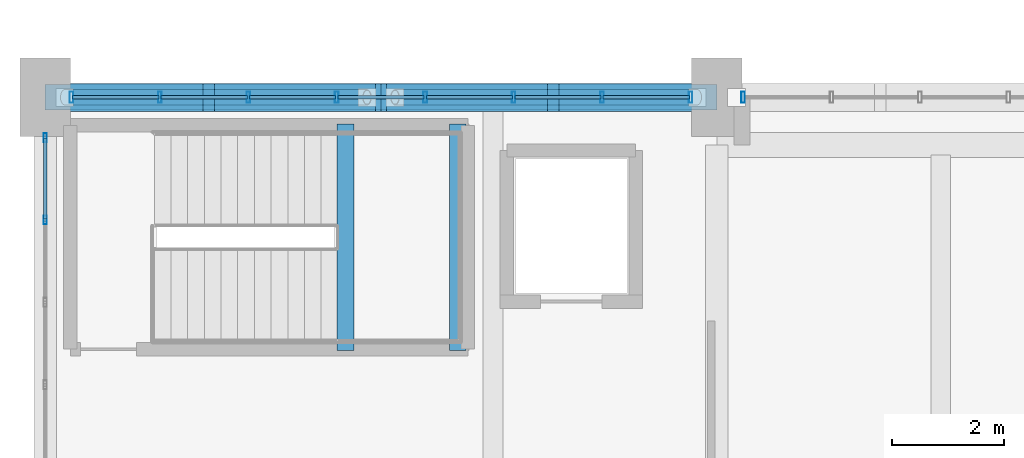
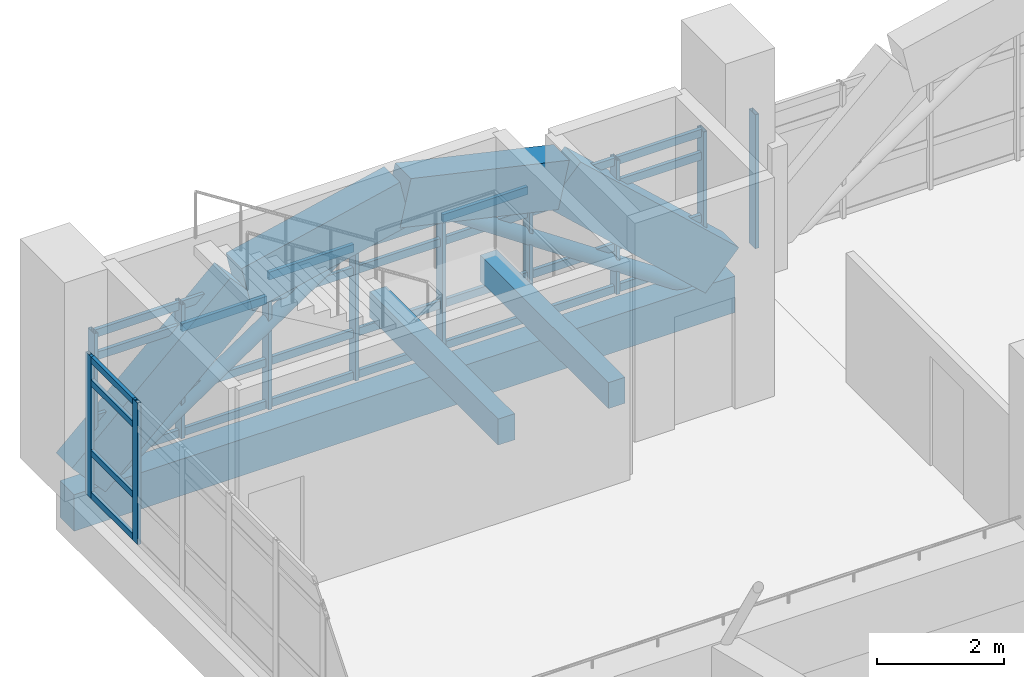
# One storey, part 29 of 161: 45 members, 7 beams, 3 elements without a shape of their own.
"""IFC4 building model written with IfcOpenShell, lengths in metres."""

from ifc_helpers import new_model, si_unit, direction, frame, origin, origin_2d, place, context, subcontext, project, spatial, rectangle, hollow_rectangle, hollow_circle, extrude, material, layer, layer_set, material_profile, profile_set, type_object, element, aggregate, save


model = new_model("IFC4")

# Units and contexts
model_context = context("Model", 3, precision=1e-05, world=origin(), true_north=direction((0.0, 1.0)))
body_context = subcontext(model_context, "Body", "Model", "MODEL_VIEW")
ifc_project = project(units=[si_unit("LENGTHUNIT", "METRE"), si_unit("AREAUNIT", "SQUARE_METRE"), si_unit("VOLUMEUNIT", "CUBIC_METRE"), si_unit("PLANEANGLEUNIT", "RADIAN"), si_unit("MASSUNIT", "GRAM", prefix="KILO")], contexts=[model_context])

# Site, building, storey
site_placement = place(None, origin())
site = spatial("IfcSite", under=ifc_project, at=site_placement, CompositionType="ELEMENT")
building_placement = place(site_placement, origin())
building = spatial("IfcBuilding", under=site, at=building_placement, Name="Mersad Railyard Sports Hall", CompositionType="ELEMENT")
storey_placement = place(building_placement, frame((0.0, 0.0, 4.800048828125)))
storey = spatial("IfcBuildingStorey", under=building, at=storey_placement, Name="L01", CompositionType="ELEMENT", Elevation=4.800048828125)

# Curtain wall, members
ifc_material_1 = material(Name="Aluminium 6063-T6", Category="aluminium")
ifc_layer_1 = layer(ifc_material_1, 0.159912109375)
ifc_layer_set_1 = layer_set([ifc_layer_1], Name="Aluminium 6063-T6")
curtain_wall_type_1 = type_object("IfcCurtainWallType", Name="ARC-CW-CW03", PredefinedType="USERDEFINED", material=ifc_layer_set_1)
curtain_wall_1_placement = place(storey_placement, origin())
curtain_wall_1 = element("IfcCurtainWall", 1, at=curtain_wall_1_placement, inside=storey, type_object=curtain_wall_type_1, Name="Curtain wall CW03-0025", ObjectType="CURTAIN WALL", PredefinedType="USERDEFINED")
ifc_material_profile_1 = material_profile(ifc_material_1, hollow_rectangle(XDim=0.06005859375, YDim=0.159912109375, WallThickness=0.00390625, at=origin_2d()), Name="AL MULLION 60x160x4")
ifc_profile_set_1 = profile_set([ifc_material_profile_1], Name="Aluminium 6063-T6")
member_type_1 = type_object("IfcMemberType", Name="ARC-CW-MUL01", PredefinedType="MULLION", material=ifc_profile_set_1)
member_1_placement = place(storey_placement, frame((7.0, 51.3076171875, -0.02001953125), z_axis=(0.0, 0.0, 1.0), x_axis=(1.0, 0.0, 0.0)))
member_1 = element("IfcMember", 2, at=member_1_placement, type_object=member_type_1, Name="CW03 Mullion 6", PredefinedType="MULLION", context=body_context, shape_type="SweptSolid", body=[
    extrude(hollow_rectangle(XDim=0.06005859375, YDim=0.159912109375, WallThickness=0.00390625, at=origin_2d()), origin(), (0.0, 0.0, 1.0), 2.719970703125),
])
member_2_placement = place(storey_placement, frame((7.0, 52.780029296875, -0.02001953125), z_axis=(0.0, 0.0, 1.0), x_axis=(1.0, 0.0, 0.0)))
member_2 = element("IfcMember", 3, at=member_2_placement, type_object=member_type_1, Name="CW03 Mullion 7", PredefinedType="MULLION", context=body_context, shape_type="SweptSolid", body=[
    extrude(hollow_rectangle(XDim=0.06005859375, YDim=0.159912109375, WallThickness=0.00390625, at=origin_2d()), origin(), (0.0, 0.0, 1.0), 2.719970703125),
])

ifc_layer_2 = layer(ifc_material_1, 0.199951171875)
ifc_layer_set_2 = layer_set([ifc_layer_2], Name="Aluminium 6063-T6")
curtain_wall_type_2 = type_object("IfcCurtainWallType", Name="ARC-CW-CW02", PredefinedType="USERDEFINED", material=ifc_layer_set_2)
curtain_wall_2_placement = place(storey_placement, origin())
curtain_wall_2 = element("IfcCurtainWall", 4, at=curtain_wall_2_placement, inside=storey, type_object=curtain_wall_type_2, Name="Curtain wall CW02-0004", ObjectType="CURTAIN WALL", PredefinedType="USERDEFINED")
ifc_material_profile_2 = material_profile(ifc_material_1, hollow_rectangle(XDim=0.06494140625, YDim=0.199951171875, WallThickness=0.0048828125, at=origin_2d()), Name="AL MULLION 65x200x5")
ifc_profile_set_2 = profile_set([ifc_material_profile_2], Name="Aluminium 6063-T6")
member_type_2 = type_object("IfcMemberType", Name="ARC-CW-MUL02", PredefinedType="MULLION", material=ifc_profile_set_2)
member_3_placement = place(storey_placement, frame((7.469970703125, 53.5, -0.02001953125), z_axis=(0.0, 0.0, 1.0), x_axis=(1.0, 0.0, 0.0)))
member_3 = element("IfcMember", 5, at=member_3_placement, type_object=member_type_2, Name="CW02 Mullion 1", PredefinedType="MULLION", context=body_context, shape_type="SweptSolid", body=[
    extrude(hollow_rectangle(XDim=0.06494140625, YDim=0.199951171875, WallThickness=0.0048828125, at=origin_2d()), origin(), (0.0, 0.0, 1.0), 2.570068359375),
])
member_4_placement = place(storey_placement, frame((9.050048828125, 53.5, -0.02001953125), z_axis=(0.0, 0.0, 1.0), x_axis=(1.0, 0.0, 0.0)))
member_4 = element("IfcMember", 6, at=member_4_placement, type_object=member_type_2, Name="CW02 Mullion 2", PredefinedType="MULLION", context=body_context, shape_type="SweptSolid", body=[
    extrude(hollow_rectangle(XDim=0.06494140625, YDim=0.199951171875, WallThickness=0.0048828125, at=origin_2d()), origin(), (0.0, 0.0, 1.0), 2.570068359375),
])
member_5_placement = place(storey_placement, frame((10.6298828125, 53.5, -0.02001953125), z_axis=(0.0, 0.0, 1.0), x_axis=(1.0, 0.0, 0.0)))
member_5 = element("IfcMember", 7, at=member_5_placement, type_object=member_type_2, Name="CW02 Mullion 3", PredefinedType="MULLION", context=body_context, shape_type="SweptSolid", body=[
    extrude(hollow_rectangle(XDim=0.06494140625, YDim=0.199951171875, WallThickness=0.0048828125, at=origin_2d()), origin(), (0.0, 0.0, 1.0), 2.570068359375),
])
member_6_placement = place(storey_placement, frame((12.2099609375, 53.5, -0.02001953125), z_axis=(0.0, 0.0, 1.0), x_axis=(1.0, 0.0, 0.0)))
member_6 = element("IfcMember", 8, at=member_6_placement, type_object=member_type_2, Name="CW02 Mullion 4", PredefinedType="MULLION", context=body_context, shape_type="SweptSolid", body=[
    extrude(hollow_rectangle(XDim=0.06494140625, YDim=0.199951171875, WallThickness=0.0048828125, at=origin_2d()), origin(), (0.0, 0.0, 1.0), 2.570068359375),
])
member_7_placement = place(storey_placement, frame((13.7900390625, 53.5, -0.02001953125), z_axis=(0.0, 0.0, 1.0), x_axis=(1.0, 0.0, 0.0)))
member_7 = element("IfcMember", 9, at=member_7_placement, type_object=member_type_2, Name="CW02 Mullion 5", PredefinedType="MULLION", context=body_context, shape_type="SweptSolid", body=[
    extrude(hollow_rectangle(XDim=0.06494140625, YDim=0.199951171875, WallThickness=0.0048828125, at=origin_2d()), origin(), (0.0, 0.0, 1.0), 2.570068359375),
])
member_8_placement = place(storey_placement, frame((15.3701171875, 53.5, -0.02001953125), z_axis=(0.0, 0.0, 1.0), x_axis=(1.0, 0.0, 0.0)))
member_8 = element("IfcMember", 10, at=member_8_placement, type_object=member_type_2, Name="CW02 Mullion 6", PredefinedType="MULLION", context=body_context, shape_type="SweptSolid", body=[
    extrude(hollow_rectangle(XDim=0.06494140625, YDim=0.199951171875, WallThickness=0.0048828125, at=origin_2d()), origin(), (0.0, 0.0, 1.0), 2.570068359375),
])
member_9_placement = place(storey_placement, frame((16.949951171875, 53.5, -0.02001953125), z_axis=(0.0, 0.0, 1.0), x_axis=(1.0, 0.0, 0.0)))
member_9 = element("IfcMember", 11, at=member_9_placement, type_object=member_type_2, Name="CW02 Mullion 7", PredefinedType="MULLION", context=body_context, shape_type="SweptSolid", body=[
    extrude(hollow_rectangle(XDim=0.06494140625, YDim=0.199951171875, WallThickness=0.0048828125, at=origin_2d()), origin(), (0.0, 0.0, 1.0), 2.570068359375),
])
member_10_placement = place(storey_placement, frame((18.530029296875, 53.5, -0.02001953125), z_axis=(0.0, 0.0, 1.0), x_axis=(1.0, 0.0, 0.0)))
member_10 = element("IfcMember", 12, at=member_10_placement, type_object=member_type_2, Name="CW02 Mullion 8", PredefinedType="MULLION", context=body_context, shape_type="SweptSolid", body=[
    extrude(hollow_rectangle(XDim=0.06494140625, YDim=0.199951171875, WallThickness=0.0048828125, at=origin_2d()), origin(), (0.0, 0.0, 1.0), 2.570068359375),
])

# Curtain wall, member
curtain_wall_3_placement = place(storey_placement, origin())
curtain_wall_3 = element("IfcCurtainWall", 13, at=curtain_wall_3_placement, inside=storey, type_object=curtain_wall_type_2, Name="Curtain wall CW02-0006", ObjectType="CURTAIN WALL", PredefinedType="USERDEFINED")
member_11_placement = place(storey_placement, frame((19.469970703125, 53.5, -0.02001953125), z_axis=(0.0, 0.0, 1.0), x_axis=(1.0, 0.0, 0.0)))
member_11 = element("IfcMember", 14, at=member_11_placement, type_object=member_type_2, Name="CW02 Mullion 1", PredefinedType="MULLION", context=body_context, shape_type="SweptSolid", body=[
    extrude(hollow_rectangle(XDim=0.06494140625, YDim=0.199951171875, WallThickness=0.0048828125, at=origin_2d()), origin(), (0.0, 0.0, 1.0), 2.570068359375),
])
aggregate(curtain_wall_3, [member_11])

# Member
ifc_material_profile_3 = material_profile(ifc_material_1, hollow_rectangle(XDim=0.06005859375, YDim=0.1201171875, WallThickness=0.00390625, at=origin_2d()), Name="AL TRANSOM 60x120x4")
ifc_profile_set_3 = profile_set([ifc_material_profile_3], Name="Aluminium 6063-T6")
member_type_3 = type_object("IfcMemberType", Name="ARC-CW-TRN01", PredefinedType="USERDEFINED", material=ifc_profile_set_3)
member_12_placement = place(storey_placement, frame((7.0, 51.327392578125, 0.0400390625), z_axis=(0.0, 1.0, 0.0), x_axis=(-1.0, 0.0, 0.0)))
member_12 = element("IfcMember", 15, at=member_12_placement, type_object=member_type_3, Name="CW03 Transom 1-6", ObjectType="TRANSOM", PredefinedType="USERDEFINED", context=body_context, shape_type="SweptSolid", body=[
    extrude(hollow_rectangle(XDim=0.06005859375, YDim=0.1201171875, WallThickness=0.00390625, at=origin_2d()), origin(), (0.0, 0.0, 1.0), 1.4326171875),
])

member_13_placement = place(storey_placement, frame((7.0, 51.327392578125, 0.849853515625), z_axis=(0.0, 1.0, 0.0), x_axis=(-1.0, 0.0, 0.0)))
member_13 = element("IfcMember", 16, at=member_13_placement, type_object=member_type_3, Name="CW03 Transom 2-6", ObjectType="TRANSOM", PredefinedType="USERDEFINED", context=body_context, shape_type="SweptSolid", body=[
    extrude(hollow_rectangle(XDim=0.06005859375, YDim=0.1201171875, WallThickness=0.00390625, at=origin_2d()), origin(), (0.0, 0.0, 1.0), 1.4326171875),
])

member_14_placement = place(storey_placement, frame((7.0, 51.327392578125, 2.199951171875), z_axis=(0.0, 1.0, 0.0), x_axis=(-1.0, 0.0, 0.0)))
member_14 = element("IfcMember", 17, at=member_14_placement, type_object=member_type_3, Name="CW03 Transom 3-6", ObjectType="TRANSOM", PredefinedType="USERDEFINED", context=body_context, shape_type="SweptSolid", body=[
    extrude(hollow_rectangle(XDim=0.06005859375, YDim=0.1201171875, WallThickness=0.00390625, at=origin_2d()), origin(), (0.0, 0.0, 1.0), 1.4326171875),
])

member_15_placement = place(storey_placement, frame((7.0, 51.327392578125, 2.639892578125), z_axis=(0.0, 1.0, 0.0), x_axis=(-1.0, 0.0, 0.0)))
member_15 = element("IfcMember", 18, at=member_15_placement, type_object=member_type_3, Name="CW03 Transom 4-6", ObjectType="TRANSOM", PredefinedType="USERDEFINED", context=body_context, shape_type="SweptSolid", body=[
    extrude(hollow_rectangle(XDim=0.06005859375, YDim=0.1201171875, WallThickness=0.00390625, at=origin_2d()), origin(), (0.0, 0.0, 1.0), 1.4326171875),
])

aggregate(curtain_wall_1, [member_1, member_2, member_12, member_13, member_14, member_15])

ifc_material_profile_4 = material_profile(ifc_material_1, hollow_rectangle(XDim=0.06494140625, YDim=0.14990234375, WallThickness=0.00439453125, at=origin_2d()), Name="AL TRANSOM 65x150x4.5")
ifc_profile_set_4 = profile_set([ifc_material_profile_4], Name="Aluminium 6063-T6")
member_type_4 = type_object("IfcMemberType", Name="ARC-CW-TRN02", PredefinedType="USERDEFINED", material=ifc_profile_set_4)
member_16_placement = place(storey_placement, frame((7.489990234375, 53.5, 0.0400390625), z_axis=(1.0, 0.0, 0.0), x_axis=(0.0, 1.0, 0.0)))
member_16 = element("IfcMember", 19, at=member_16_placement, type_object=member_type_4, Name="CW02 Transom 1-1", ObjectType="TRANSOM", PredefinedType="USERDEFINED", context=body_context, shape_type="SweptSolid", body=[
    extrude(hollow_rectangle(XDim=0.06494140625, YDim=0.14990234375, WallThickness=0.00439453125, at=origin_2d()), origin(), (0.0, 0.0, 1.0), 1.5400390625),
])

member_17_placement = place(storey_placement, frame((9.070068359375, 53.5, 0.0400390625), z_axis=(1.0, 0.0, 0.0), x_axis=(0.0, 1.0, 0.0)))
member_17 = element("IfcMember", 20, at=member_17_placement, type_object=member_type_4, Name="CW02 Transom 1-2", ObjectType="TRANSOM", PredefinedType="USERDEFINED", context=body_context, shape_type="SweptSolid", body=[
    extrude(hollow_rectangle(XDim=0.06494140625, YDim=0.14990234375, WallThickness=0.00439453125, at=origin_2d()), origin(), (0.0, 0.0, 1.0), 1.5400390625),
])

member_18_placement = place(storey_placement, frame((10.64990234375, 53.5, 0.0400390625), z_axis=(1.0, 0.0, 0.0), x_axis=(0.0, 1.0, 0.0)))
member_18 = element("IfcMember", 21, at=member_18_placement, type_object=member_type_4, Name="CW02 Transom 1-3", ObjectType="TRANSOM", PredefinedType="USERDEFINED", context=body_context, shape_type="SweptSolid", body=[
    extrude(hollow_rectangle(XDim=0.06494140625, YDim=0.14990234375, WallThickness=0.00439453125, at=origin_2d()), origin(), (0.0, 0.0, 1.0), 1.5400390625),
])

member_19_placement = place(storey_placement, frame((12.22998046875, 53.5, 0.0400390625), z_axis=(1.0, 0.0, 0.0), x_axis=(0.0, 1.0, 0.0)))
member_19 = element("IfcMember", 22, at=member_19_placement, type_object=member_type_4, Name="CW02 Transom 1-4", ObjectType="TRANSOM", PredefinedType="USERDEFINED", context=body_context, shape_type="SweptSolid", body=[
    extrude(hollow_rectangle(XDim=0.06494140625, YDim=0.14990234375, WallThickness=0.00439453125, at=origin_2d()), origin(), (0.0, 0.0, 1.0), 1.5400390625),
])

member_20_placement = place(storey_placement, frame((13.81005859375, 53.5, 0.0400390625), z_axis=(1.0, 0.0, 0.0), x_axis=(0.0, 1.0, 0.0)))
member_20 = element("IfcMember", 23, at=member_20_placement, type_object=member_type_4, Name="CW02 Transom 1-5", ObjectType="TRANSOM", PredefinedType="USERDEFINED", context=body_context, shape_type="SweptSolid", body=[
    extrude(hollow_rectangle(XDim=0.06494140625, YDim=0.14990234375, WallThickness=0.00439453125, at=origin_2d()), origin(), (0.0, 0.0, 1.0), 1.5400390625),
])

member_21_placement = place(storey_placement, frame((15.389892578125, 53.5, 0.0400390625), z_axis=(1.0, 0.0, 0.0), x_axis=(0.0, 1.0, 0.0)))
member_21 = element("IfcMember", 24, at=member_21_placement, type_object=member_type_4, Name="CW02 Transom 1-6", ObjectType="TRANSOM", PredefinedType="USERDEFINED", context=body_context, shape_type="SweptSolid", body=[
    extrude(hollow_rectangle(XDim=0.06494140625, YDim=0.14990234375, WallThickness=0.00439453125, at=origin_2d()), origin(), (0.0, 0.0, 1.0), 1.5400390625),
])

member_22_placement = place(storey_placement, frame((16.969970703125, 53.5, 0.0400390625), z_axis=(1.0, 0.0, 0.0), x_axis=(0.0, 1.0, 0.0)))
member_22 = element("IfcMember", 25, at=member_22_placement, type_object=member_type_4, Name="CW02 Transom 1-7", ObjectType="TRANSOM", PredefinedType="USERDEFINED", context=body_context, shape_type="SweptSolid", body=[
    extrude(hollow_rectangle(XDim=0.06494140625, YDim=0.14990234375, WallThickness=0.00439453125, at=origin_2d()), origin(), (0.0, 0.0, 1.0), 1.5400390625),
])

member_23_placement = place(storey_placement, frame((7.489990234375, 53.5, 0.849853515625), z_axis=(1.0, 0.0, 0.0), x_axis=(0.0, 1.0, 0.0)))
member_23 = element("IfcMember", 26, at=member_23_placement, type_object=member_type_4, Name="CW02 Transom 2-1", ObjectType="TRANSOM", PredefinedType="USERDEFINED", context=body_context, shape_type="SweptSolid", body=[
    extrude(hollow_rectangle(XDim=0.06494140625, YDim=0.14990234375, WallThickness=0.00439453125, at=origin_2d()), origin(), (0.0, 0.0, 1.0), 1.5400390625),
])

member_24_placement = place(storey_placement, frame((9.070068359375, 53.5, 0.849853515625), z_axis=(1.0, 0.0, 0.0), x_axis=(0.0, 1.0, 0.0)))
member_24 = element("IfcMember", 27, at=member_24_placement, type_object=member_type_4, Name="CW02 Transom 2-2", ObjectType="TRANSOM", PredefinedType="USERDEFINED", context=body_context, shape_type="SweptSolid", body=[
    extrude(hollow_rectangle(XDim=0.06494140625, YDim=0.14990234375, WallThickness=0.00439453125, at=origin_2d()), origin(), (0.0, 0.0, 1.0), 1.5400390625),
])

member_25_placement = place(storey_placement, frame((10.64990234375, 53.5, 0.849853515625), z_axis=(1.0, 0.0, 0.0), x_axis=(0.0, 1.0, 0.0)))
member_25 = element("IfcMember", 28, at=member_25_placement, type_object=member_type_4, Name="CW02 Transom 2-3", ObjectType="TRANSOM", PredefinedType="USERDEFINED", context=body_context, shape_type="SweptSolid", body=[
    extrude(hollow_rectangle(XDim=0.06494140625, YDim=0.14990234375, WallThickness=0.00439453125, at=origin_2d()), origin(), (0.0, 0.0, 1.0), 1.5400390625),
])

member_26_placement = place(storey_placement, frame((12.22998046875, 53.5, 0.849853515625), z_axis=(1.0, 0.0, 0.0), x_axis=(0.0, 1.0, 0.0)))
member_26 = element("IfcMember", 29, at=member_26_placement, type_object=member_type_4, Name="CW02 Transom 2-4", ObjectType="TRANSOM", PredefinedType="USERDEFINED", context=body_context, shape_type="SweptSolid", body=[
    extrude(hollow_rectangle(XDim=0.06494140625, YDim=0.14990234375, WallThickness=0.00439453125, at=origin_2d()), origin(), (0.0, 0.0, 1.0), 1.5400390625),
])

member_27_placement = place(storey_placement, frame((13.81005859375, 53.5, 0.849853515625), z_axis=(1.0, 0.0, 0.0), x_axis=(0.0, 1.0, 0.0)))
member_27 = element("IfcMember", 30, at=member_27_placement, type_object=member_type_4, Name="CW02 Transom 2-5", ObjectType="TRANSOM", PredefinedType="USERDEFINED", context=body_context, shape_type="SweptSolid", body=[
    extrude(hollow_rectangle(XDim=0.06494140625, YDim=0.14990234375, WallThickness=0.00439453125, at=origin_2d()), origin(), (0.0, 0.0, 1.0), 1.5400390625),
])

member_28_placement = place(storey_placement, frame((15.389892578125, 53.5, 0.849853515625), z_axis=(1.0, 0.0, 0.0), x_axis=(0.0, 1.0, 0.0)))
member_28 = element("IfcMember", 31, at=member_28_placement, type_object=member_type_4, Name="CW02 Transom 2-6", ObjectType="TRANSOM", PredefinedType="USERDEFINED", context=body_context, shape_type="SweptSolid", body=[
    extrude(hollow_rectangle(XDim=0.06494140625, YDim=0.14990234375, WallThickness=0.00439453125, at=origin_2d()), origin(), (0.0, 0.0, 1.0), 1.5400390625),
])

member_29_placement = place(storey_placement, frame((16.969970703125, 53.5, 0.849853515625), z_axis=(1.0, 0.0, 0.0), x_axis=(0.0, 1.0, 0.0)))
member_29 = element("IfcMember", 32, at=member_29_placement, type_object=member_type_4, Name="CW02 Transom 2-7", ObjectType="TRANSOM", PredefinedType="USERDEFINED", context=body_context, shape_type="SweptSolid", body=[
    extrude(hollow_rectangle(XDim=0.06494140625, YDim=0.14990234375, WallThickness=0.00439453125, at=origin_2d()), origin(), (0.0, 0.0, 1.0), 1.5400390625),
])

member_30_placement = place(storey_placement, frame((7.489990234375, 53.5, 2.050048828125), z_axis=(1.0, 0.0, 0.0), x_axis=(0.0, 1.0, 0.0)))
member_30 = element("IfcMember", 33, at=member_30_placement, type_object=member_type_4, Name="CW02 Transom 3-1", ObjectType="TRANSOM", PredefinedType="USERDEFINED", context=body_context, shape_type="SweptSolid", body=[
    extrude(hollow_rectangle(XDim=0.06494140625, YDim=0.14990234375, WallThickness=0.00439453125, at=origin_2d()), origin(), (0.0, 0.0, 1.0), 1.5400390625),
])

member_31_placement = place(storey_placement, frame((9.070068359375, 53.5, 2.050048828125), z_axis=(1.0, 0.0, 0.0), x_axis=(0.0, 1.0, 0.0)))
member_31 = element("IfcMember", 34, at=member_31_placement, type_object=member_type_4, Name="CW02 Transom 3-2", ObjectType="TRANSOM", PredefinedType="USERDEFINED", context=body_context, shape_type="SweptSolid", body=[
    extrude(hollow_rectangle(XDim=0.06494140625, YDim=0.14990234375, WallThickness=0.00439453125, at=origin_2d()), origin(), (0.0, 0.0, 1.0), 1.5400390625),
])

member_32_placement = place(storey_placement, frame((10.64990234375, 53.5, 2.050048828125), z_axis=(1.0, 0.0, 0.0), x_axis=(0.0, 1.0, 0.0)))
member_32 = element("IfcMember", 35, at=member_32_placement, type_object=member_type_4, Name="CW02 Transom 3-3", ObjectType="TRANSOM", PredefinedType="USERDEFINED", context=body_context, shape_type="SweptSolid", body=[
    extrude(hollow_rectangle(XDim=0.06494140625, YDim=0.14990234375, WallThickness=0.00439453125, at=origin_2d()), origin(), (0.0, 0.0, 1.0), 1.5400390625),
])

member_33_placement = place(storey_placement, frame((12.22998046875, 53.5, 2.050048828125), z_axis=(1.0, 0.0, 0.0), x_axis=(0.0, 1.0, 0.0)))
member_33 = element("IfcMember", 36, at=member_33_placement, type_object=member_type_4, Name="CW02 Transom 3-4", ObjectType="TRANSOM", PredefinedType="USERDEFINED", context=body_context, shape_type="SweptSolid", body=[
    extrude(hollow_rectangle(XDim=0.06494140625, YDim=0.14990234375, WallThickness=0.00439453125, at=origin_2d()), origin(), (0.0, 0.0, 1.0), 1.5400390625),
])

member_34_placement = place(storey_placement, frame((13.81005859375, 53.5, 2.050048828125), z_axis=(1.0, 0.0, 0.0), x_axis=(0.0, 1.0, 0.0)))
member_34 = element("IfcMember", 37, at=member_34_placement, type_object=member_type_4, Name="CW02 Transom 3-5", ObjectType="TRANSOM", PredefinedType="USERDEFINED", context=body_context, shape_type="SweptSolid", body=[
    extrude(hollow_rectangle(XDim=0.06494140625, YDim=0.14990234375, WallThickness=0.00439453125, at=origin_2d()), origin(), (0.0, 0.0, 1.0), 1.5400390625),
])

member_35_placement = place(storey_placement, frame((15.389892578125, 53.5, 2.050048828125), z_axis=(1.0, 0.0, 0.0), x_axis=(0.0, 1.0, 0.0)))
member_35 = element("IfcMember", 38, at=member_35_placement, type_object=member_type_4, Name="CW02 Transom 3-6", ObjectType="TRANSOM", PredefinedType="USERDEFINED", context=body_context, shape_type="SweptSolid", body=[
    extrude(hollow_rectangle(XDim=0.06494140625, YDim=0.14990234375, WallThickness=0.00439453125, at=origin_2d()), origin(), (0.0, 0.0, 1.0), 1.5400390625),
])

member_36_placement = place(storey_placement, frame((16.969970703125, 53.5, 2.050048828125), z_axis=(1.0, 0.0, 0.0), x_axis=(0.0, 1.0, 0.0)))
member_36 = element("IfcMember", 39, at=member_36_placement, type_object=member_type_4, Name="CW02 Transom 3-7", ObjectType="TRANSOM", PredefinedType="USERDEFINED", context=body_context, shape_type="SweptSolid", body=[
    extrude(hollow_rectangle(XDim=0.06494140625, YDim=0.14990234375, WallThickness=0.00439453125, at=origin_2d()), origin(), (0.0, 0.0, 1.0), 1.5400390625),
])

member_37_placement = place(storey_placement, frame((7.489990234375, 53.5, 2.489990234375), z_axis=(1.0, 0.0, 0.0), x_axis=(0.0, 1.0, 0.0)))
member_37 = element("IfcMember", 40, at=member_37_placement, type_object=member_type_4, Name="CW02 Transom 4-1", ObjectType="TRANSOM", PredefinedType="USERDEFINED", context=body_context, shape_type="SweptSolid", body=[
    extrude(hollow_rectangle(XDim=0.06494140625, YDim=0.14990234375, WallThickness=0.00439453125, at=origin_2d()), origin(), (0.0, 0.0, 1.0), 1.5400390625),
])

member_38_placement = place(storey_placement, frame((9.070068359375, 53.5, 2.489990234375), z_axis=(1.0, 0.0, 0.0), x_axis=(0.0, 1.0, 0.0)))
member_38 = element("IfcMember", 41, at=member_38_placement, type_object=member_type_4, Name="CW02 Transom 4-2", ObjectType="TRANSOM", PredefinedType="USERDEFINED", context=body_context, shape_type="SweptSolid", body=[
    extrude(hollow_rectangle(XDim=0.06494140625, YDim=0.14990234375, WallThickness=0.00439453125, at=origin_2d()), origin(), (0.0, 0.0, 1.0), 1.5400390625),
])

member_39_placement = place(storey_placement, frame((10.64990234375, 53.5, 2.489990234375), z_axis=(1.0, 0.0, 0.0), x_axis=(0.0, 1.0, 0.0)))
member_39 = element("IfcMember", 42, at=member_39_placement, type_object=member_type_4, Name="CW02 Transom 4-3", ObjectType="TRANSOM", PredefinedType="USERDEFINED", context=body_context, shape_type="SweptSolid", body=[
    extrude(hollow_rectangle(XDim=0.06494140625, YDim=0.14990234375, WallThickness=0.00439453125, at=origin_2d()), origin(), (0.0, 0.0, 1.0), 1.5400390625),
])

member_40_placement = place(storey_placement, frame((12.22998046875, 53.5, 2.489990234375), z_axis=(1.0, 0.0, 0.0), x_axis=(0.0, 1.0, 0.0)))
member_40 = element("IfcMember", 43, at=member_40_placement, type_object=member_type_4, Name="CW02 Transom 4-4", ObjectType="TRANSOM", PredefinedType="USERDEFINED", context=body_context, shape_type="SweptSolid", body=[
    extrude(hollow_rectangle(XDim=0.06494140625, YDim=0.14990234375, WallThickness=0.00439453125, at=origin_2d()), origin(), (0.0, 0.0, 1.0), 1.5400390625),
])

member_41_placement = place(storey_placement, frame((13.81005859375, 53.5, 2.489990234375), z_axis=(1.0, 0.0, 0.0), x_axis=(0.0, 1.0, 0.0)))
member_41 = element("IfcMember", 44, at=member_41_placement, type_object=member_type_4, Name="CW02 Transom 4-5", ObjectType="TRANSOM", PredefinedType="USERDEFINED", context=body_context, shape_type="SweptSolid", body=[
    extrude(hollow_rectangle(XDim=0.06494140625, YDim=0.14990234375, WallThickness=0.00439453125, at=origin_2d()), origin(), (0.0, 0.0, 1.0), 1.5400390625),
])

member_42_placement = place(storey_placement, frame((15.389892578125, 53.5, 2.489990234375), z_axis=(1.0, 0.0, 0.0), x_axis=(0.0, 1.0, 0.0)))
member_42 = element("IfcMember", 45, at=member_42_placement, type_object=member_type_4, Name="CW02 Transom 4-6", ObjectType="TRANSOM", PredefinedType="USERDEFINED", context=body_context, shape_type="SweptSolid", body=[
    extrude(hollow_rectangle(XDim=0.06494140625, YDim=0.14990234375, WallThickness=0.00439453125, at=origin_2d()), origin(), (0.0, 0.0, 1.0), 1.5400390625),
])

member_43_placement = place(storey_placement, frame((16.969970703125, 53.5, 2.489990234375), z_axis=(1.0, 0.0, 0.0), x_axis=(0.0, 1.0, 0.0)))
member_43 = element("IfcMember", 46, at=member_43_placement, type_object=member_type_4, Name="CW02 Transom 4-7", ObjectType="TRANSOM", PredefinedType="USERDEFINED", context=body_context, shape_type="SweptSolid", body=[
    extrude(hollow_rectangle(XDim=0.06494140625, YDim=0.14990234375, WallThickness=0.00439453125, at=origin_2d()), origin(), (0.0, 0.0, 1.0), 1.5400390625),
])

aggregate(curtain_wall_2, [member_3, member_4, member_5, member_6, member_7, member_8, member_9, member_10, member_16, member_17, member_18, member_19, member_20, member_21, member_22, member_23, member_24, member_25, member_26, member_27, member_28, member_29, member_30, member_31, member_32, member_33, member_34, member_35, member_36, member_37, member_38, member_39, member_40, member_41, member_42, member_43])

# Beams
ifc_material_2 = material(Name="Concrete C40/50", Category="concrete")
ifc_material_profile_5 = material_profile(ifc_material_2, rectangle(XDim=0.300048828125, YDim=0.5, at=origin_2d()), Name="RC 300x500")
ifc_profile_set_5 = profile_set([ifc_material_profile_5], Name="Concrete C40/50")
beam_type_1 = type_object("IfcBeamType", Name="STR-BM-LN01", PredefinedType="LINTEL", material=ifc_profile_set_5)
for number, where, z_axis, x_axis, name in (
    (47, (12.367919921875, 48.97998046875, 1.669921875), (0.0, 1.0, 0.0), (-1.0, 0.0, 0.0), "Stair ST07B landing beam W"),
    (48, (14.3701171875, 48.97998046875, 1.669921875), (0.0, 1.0, 0.0), (-1.0, 0.0, 0.0), "Stair ST07B landing beam E"),
):
    element("IfcBeam", number, at=place(storey_placement, frame(where, z_axis=z_axis, x_axis=x_axis)), inside=storey, type_object=beam_type_1, Name=name, PredefinedType="LINTEL", context=body_context, shape_type="SweptSolid", body=[
        extrude(rectangle(XDim=0.300048828125, YDim=0.5, at=origin_2d()), origin(), (0.0, 0.0, 1.0), 4.0400390625),
    ])
ifc_material_3 = material(Name="Architectural concrete C40/50", Category="concrete")
ifc_material_profile_6 = material_profile(ifc_material_3, rectangle(XDim=0.449951171875, YDim=0.699951171875, at=origin_2d()), Name="RC 450x700")
ifc_profile_set_6 = profile_set([ifc_material_profile_6], Name="Architectural concrete C40/50")
beam_type_2 = type_object("IfcBeamType", Name="STR-BM-SP01", PredefinedType="SPANDREL", material=ifc_profile_set_6)
beam_1_placement = place(storey_placement, frame((7.0, 53.5, -0.66015625), z_axis=(1.0, 0.0, 0.0), x_axis=(0.0, 1.0, 0.0)))
element("IfcBeam", 49, at=beam_1_placement, inside=storey, type_object=beam_type_2, Name="Beam SP01-0325", PredefinedType="SPANDREL", context=body_context, shape_type="SweptSolid", body=[
    extrude(rectangle(XDim=0.449951171875, YDim=0.699951171875, at=origin_2d()), origin(), (0.0, 0.0, 1.0), 12.0),
])
ifc_material_4 = material(Name="Architectural concrete C50/60", Category="concrete")
ifc_material_profile_7 = material_profile(ifc_material_4, rectangle(XDim=0.5, YDim=0.89990234375, at=origin_2d()), Name="VR 500x900")
ifc_profile_set_7 = profile_set([ifc_material_profile_7], Name="Architectural concrete C50/60")
beam_type_3 = type_object("IfcBeamType", Name="STR-BM-VR02", PredefinedType="BEAM", material=ifc_profile_set_7)
beam_2_placement = place(storey_placement, frame((7.25, 53.5, -0.10009765625), z_axis=(0.735617187873, 0.0, 0.677397485164), x_axis=(0.0, 1.0, 0.0)))
element("IfcBeam", 50, at=beam_2_placement, inside=storey, type_object=beam_type_3, Name="Beam VR02-0327", PredefinedType="BEAM", context=body_context, shape_type="SweptSolid", body=[
    extrude(rectangle(XDim=0.5, YDim=0.89990234375, at=origin_2d()), origin(), (0.0, 0.0, 1.0), 3.908203125),
])
for number, where, z_axis, x_axis, name in (
    (51, (10.125, 53.5, 2.54736328125), (0.97519301708, 0.0, 0.221356227467), (0.0, 1.0, 0.0), "Beam VR02-0329"),
    (52, (13.0, 53.5, 3.199951171875), (0.97519301708, 0.0, -0.221356227467), (0.0, 1.0, 0.0), "Beam VR02-0331"),
):
    element("IfcBeam", number, at=place(storey_placement, frame(where, z_axis=z_axis, x_axis=x_axis)), inside=storey, type_object=beam_type_3, Name=name, PredefinedType="BEAM", context=body_context, shape_type="SweptSolid", body=[
        extrude(rectangle(XDim=0.5, YDim=0.89990234375, at=origin_2d()), origin(), (0.0, 0.0, 1.0), 2.9482421875),
    ])
beam_3_placement = place(storey_placement, frame((15.875, 53.5, 2.54736328125), z_axis=(0.735617187873, 0.0, -0.677397485164), x_axis=(0.0, 1.0, 0.0)))
element("IfcBeam", 53, at=beam_3_placement, inside=storey, type_object=beam_type_3, Name="Beam VR02-0333", PredefinedType="BEAM", context=body_context, shape_type="SweptSolid", body=[
    extrude(rectangle(XDim=0.5, YDim=0.89990234375, at=origin_2d()), origin(), (0.0, 0.0, 1.0), 3.908203125),
])

# Members
ifc_material_5 = material(Name="Steel S355", Category="steel")
ifc_material_profile_8 = material_profile(ifc_material_5, hollow_circle(Radius=0.136474609375, WallThickness=0.012451171875, at=origin_2d()), Name="CHS 273x12.5")
ifc_profile_set_8 = profile_set([ifc_material_profile_8], Name="Steel S355")
member_type_5 = type_object("IfcMemberType", Name="STR-MEM-BR02", PredefinedType="BRACE", material=ifc_profile_set_8)
for number, where, z_axis, x_axis, name in (
    (54, (7.35009765625, 53.5, -0.6201171875), (0.829190125257, 0.0, 0.558966668215), (0.0, 1.0, 0.0), "Structural member BR02-0003"),
    (55, (18.64990234375, 53.5, -0.6201171875), (-0.829190125257, 0.0, 0.558966668215), (0.0, -1.0, 0.0), "Structural member BR02-0004"),
):
    element("IfcMember", number, at=place(storey_placement, frame(where, z_axis=z_axis, x_axis=x_axis)), inside=storey, type_object=member_type_5, Name=name, PredefinedType="BRACE", context=body_context, shape_type="SweptSolid", body=[
        extrude(hollow_circle(Radius=0.136474609375, WallThickness=0.012451171875, at=origin_2d()), origin(), (0.0, 0.0, 1.0), 6.51220703125),
    ])

save(model, "model.ifc")
